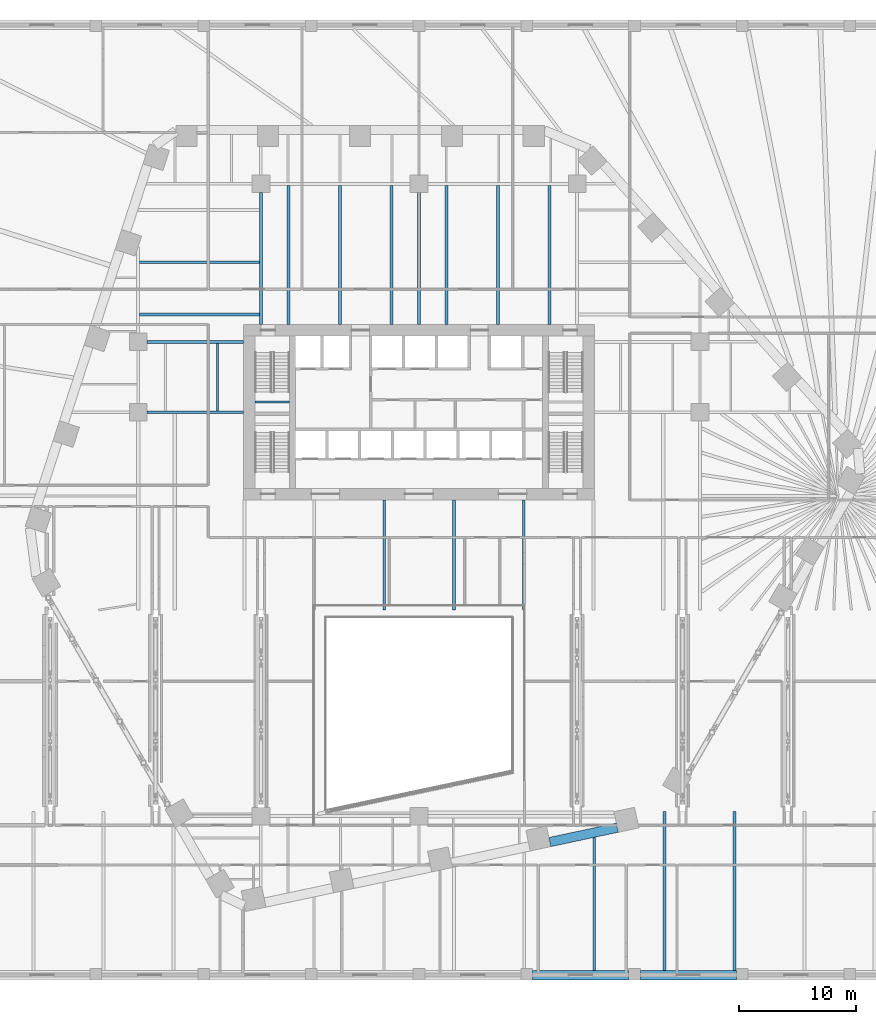
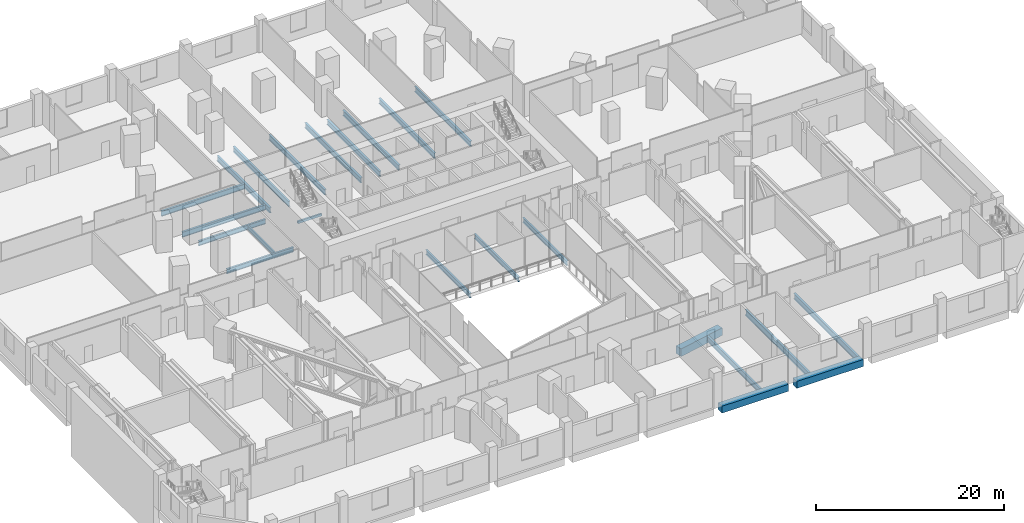
# One storey, part 6 of 32: 23 beams.
"""IFC4 building model written with IfcOpenShell, lengths in metres."""

from ifc_helpers import new_model, si_unit, direction, frame, origin, origin_2d, place, context, subcontext, project, spatial, rectangle, i_section, extrude, material, material_profile, profile_set, type_object, element, save


model = new_model("IFC4")

# Units and contexts
model_context = context("Model", 3, precision=1e-05, world=origin(), true_north=direction((0.0, 1.0)))
body_context = subcontext(model_context, "Body", "Model", "MODEL_VIEW")
ifc_project = project(units=[si_unit("LENGTHUNIT", "METRE"), si_unit("AREAUNIT", "SQUARE_METRE"), si_unit("VOLUMEUNIT", "CUBIC_METRE"), si_unit("PLANEANGLEUNIT", "RADIAN"), si_unit("MASSUNIT", "GRAM", prefix="KILO")], contexts=[model_context])

# Site, building, storey
site_placement = place(None, origin())
site = spatial("IfcSite", under=ifc_project, at=site_placement, CompositionType="ELEMENT")
building_placement = place(site_placement, origin())
building = spatial("IfcBuilding", under=site, at=building_placement, Name="Isthmus Gate Tower", CompositionType="ELEMENT")
storey_placement = place(building_placement, frame((0.0, 0.0, 18.0)))
storey = spatial("IfcBuildingStorey", under=building, at=storey_placement, Name="L02", CompositionType="ELEMENT", Elevation=18.0)

# Beams
ifc_material_1 = material(Name="Concrete f'c 70 MPa", Category="concrete")
ifc_material_profile_1 = material_profile(ifc_material_1, rectangle(XDim=0.800048828125, YDim=0.89990234375, at=origin_2d()), Name="RC 800X900")
ifc_profile_set_1 = profile_set([ifc_material_profile_1], Name="Concrete f'c 70 MPa")
beam_type_1 = type_object("IfcBeamType", Name="RC EDGE BEAM 800 X 900", PredefinedType="BEAM", material=ifc_profile_set_1)
beam_1_placement = place(storey_placement, frame((27.10009765625, -40.60009765625, -0.85009765625), z_axis=(-1.0, 0.0, 0.0), x_axis=(0.0, -1.0, 0.0)))
element("IfcBeam", 1, at=beam_1_placement, inside=storey, type_object=beam_type_1, Name="str-edgebeam-L02-30", PredefinedType="BEAM", context=body_context, shape_type="SweptSolid", body=[
    extrude(rectangle(XDim=0.800048828125, YDim=0.89990234375, at=origin_2d()), origin(), (0.0, 0.0, 1.0), 8.2001953125),
])
beam_2_placement = place(storey_placement, frame((17.89990234375, -40.60009765625, -0.85009765625), z_axis=(-1.0, 0.0, 0.0), x_axis=(0.0, -1.0, 0.0)))
element("IfcBeam", 2, at=beam_2_placement, inside=storey, type_object=beam_type_1, Name="str-edgebeam-L02-31", PredefinedType="BEAM", context=body_context, shape_type="SweptSolid", body=[
    extrude(rectangle(XDim=0.800048828125, YDim=0.89990234375, at=origin_2d()), origin(), (0.0, 0.0, 1.0), 8.199951171875),
])
ifc_material_2 = material(Name="Concrete f'c 70 MPa", Category="concrete")
ifc_material_profile_2 = material_profile(ifc_material_2, rectangle(XDim=0.800048828125, YDim=1.0, at=origin_2d()), Name="RC 800X1000")
ifc_profile_set_2 = profile_set([ifc_material_profile_2], Name="Concrete f'c 70 MPa")
beam_type_2 = type_object("IfcBeamType", Name="RC TUBE RING BEAM 800 X 1000", PredefinedType="BEAM", material=ifc_profile_set_2)
beam_3_placement = place(storey_placement, frame((16.937255859375, -27.990966796875, -0.89990234375), z_axis=(-0.97815168619, -0.207892469327, 0.0), x_axis=(0.207892469327, -0.97815168619, 0.0)))
element("IfcBeam", 3, at=beam_3_placement, inside=storey, type_object=beam_type_2, Name="str-ringbeam-L02-08", PredefinedType="BEAM", context=body_context, shape_type="SweptSolid", body=[
    extrude(rectangle(XDim=0.800048828125, YDim=1.0, at=origin_2d()), origin(), (0.0, 0.0, 1.0), 5.889404296875),
])
ifc_material_3 = material(Name="Concrete f'c 40 MPa", Category="concrete")
ifc_material_profile_3 = material_profile(ifc_material_3, rectangle(XDim=0.199951171875, YDim=0.300048828125, at=origin_2d()), Name="STAIR LANDING BEAM RC 200 X 300")
ifc_profile_set_3 = profile_set([ifc_material_profile_3], Name="Concrete f'c 40 MPa")
beam_type_3 = type_object("IfcBeamType", Name="STAIR LANDING BEAM RC 200 X 300", PredefinedType="BEAM", material=ifc_profile_set_3)
beam_4_placement = place(storey_placement, frame((-14.0, 8.3701171875, 1.89990234375), z_axis=(1.0, 0.0, 0.0), x_axis=(0.0, 1.0, 0.0)))
element("IfcBeam", 4, at=beam_4_placement, inside=storey, type_object=beam_type_3, Name="L02 ST1 landing beam 1", PredefinedType="BEAM", context=body_context, shape_type="SweptSolid", body=[
    extrude(rectangle(XDim=0.199951171875, YDim=0.300048828125, at=origin_2d()), origin(), (0.0, 0.0, 1.0), 2.949951171875),
])
ifc_material_4 = material(Name="Structural steel ASTM A992 Gr 50", Category="steel")
ifc_material_profile_4 = material_profile(ifc_material_4, i_section(OverallWidth=0.1650390625, OverallDepth=0.52392578125, WebThickness=0.009521484375, FlangeThickness=0.010986328125, at=origin_2d()), Name="W21X44")
ifc_profile_set_4 = profile_set([ifc_material_profile_4], Name="Structural steel ASTM A992 Gr 50")
beam_type_4 = type_object("IfcBeamType", Name="STEEL FLOOR BEAM W21X44", PredefinedType="JOIST", material=ifc_profile_set_4)
beam_5_placement = place(storey_placement, frame((-17.223876953125, 7.6142578125, -0.661865234375), z_axis=(0.0, 1.0, 0.0), x_axis=(-1.0, 0.0, 0.0)))
element("IfcBeam", 5, at=beam_5_placement, inside=storey, type_object=beam_type_4, Name="str-beam-L02-07-01", PredefinedType="JOIST", context=body_context, shape_type="SweptSolid", body=[
    extrude(i_section(OverallWidth=0.1650390625, OverallDepth=0.52392578125, WebThickness=0.009521484375, FlangeThickness=0.010986328125, at=origin_2d()), origin(), (0.0, 0.0, 1.0), 5.771484375),
])
ifc_material_5 = material(Name="Structural steel ASTM A992 Gr 50", Category="steel")
ifc_material_profile_5 = material_profile(ifc_material_5, i_section(OverallWidth=0.228515625, OverallDepth=0.603271484375, WebThickness=0.010986328125, FlangeThickness=0.014404296875, at=origin_2d()), Name="W24X68")
ifc_profile_set_5 = profile_set([ifc_material_profile_5], Name="Structural steel ASTM A992 Gr 50")
beam_type_5 = type_object("IfcBeamType", Name="STEEL FLOOR BEAM W24X68", PredefinedType="JOIST", material=ifc_profile_set_5)
for number, where, z_axis, x_axis, name in (
    (6, (-2.981689453125, -9.39990234375, -0.70166015625), (0.0, 1.0, 0.0), (-1.0, 0.0, 0.0), "str-beam-L02-17-03"),
    (7, (2.981689453125, -9.39990234375, -0.70166015625), (0.0, 1.0, 0.0), (-1.0, 0.0, 0.0), "str-beam-L02-17-04"),
    (8, (8.9453125, -9.39990234375, -0.70166015625), (0.0, 1.0, 0.0), (-1.0, 0.0, 0.0), "str-beam-L02-17-05"),
):
    element("IfcBeam", number, at=place(storey_placement, frame(where, z_axis=z_axis, x_axis=x_axis)), inside=storey, type_object=beam_type_5, Name=name, PredefinedType="JOIST", context=body_context, shape_type="SweptSolid", body=[
        extrude(i_section(OverallWidth=0.228515625, OverallDepth=0.603271484375, WebThickness=0.010986328125, FlangeThickness=0.014404296875, at=origin_2d()), origin(), (0.0, 0.0, 1.0), 9.39990234375),
    ])
ifc_material_6 = material(Name="Structural steel ASTM A992 Gr 50", Category="steel")
ifc_material_profile_6 = material_profile(ifc_material_6, i_section(OverallWidth=0.25390625, OverallDepth=0.679443359375, WebThickness=0.010986328125, FlangeThickness=0.015869140625, at=origin_2d()), Name="W27X84")
ifc_profile_set_6 = profile_set([ifc_material_profile_6], Name="Structural steel ASTM A992 Gr 50")
beam_type_6 = type_object("IfcBeamType", Name="STEEL FLOOR BEAM W27X84", PredefinedType="JOIST", material=ifc_profile_set_6)
for number, where, z_axis, x_axis, name in (
    (9, (-23.8857421875, 15.84521484375, -0.73974609375), (1.0, 0.0, 0.0), (0.0, 1.0, 0.0), "str-beam-L02-08-00"),
    (10, (-23.8857421875, 20.30712890625, -0.73974609375), (1.0, 0.0, 0.0), (0.0, 1.0, 0.0), "str-beam-L02-08-01"),
):
    element("IfcBeam", number, at=place(storey_placement, frame(where, z_axis=z_axis, x_axis=x_axis)), inside=storey, type_object=beam_type_6, Name=name, PredefinedType="JOIST", context=body_context, shape_type="SweptSolid", body=[
        extrude(i_section(OverallWidth=0.25390625, OverallDepth=0.679443359375, WebThickness=0.010986328125, FlangeThickness=0.015869140625, at=origin_2d()), origin(), (0.0, 0.0, 1.0), 10.2587890625),
    ])
for number, where, z_axis, x_axis, name in (
    (11, (-11.165283203125, 15.0, -0.73974609375), (0.0, 1.0, 0.0), (-1.0, 0.0, 0.0), "str-beam-L02-14-00"),
    (12, (-6.75, 15.0, -0.73974609375), (0.0, 1.0, 0.0), (-1.0, 0.0, 0.0), "str-beam-L02-14-01"),
    (13, (-2.334716796875, 15.0, -0.73974609375), (0.0, 1.0, 0.0), (-1.0, 0.0, 0.0), "str-beam-L02-14-02"),
):
    element("IfcBeam", number, at=place(storey_placement, frame(where, z_axis=z_axis, x_axis=x_axis)), inside=storey, type_object=beam_type_6, Name=name, PredefinedType="JOIST", context=body_context, shape_type="SweptSolid", body=[
        extrude(i_section(OverallWidth=0.25390625, OverallDepth=0.679443359375, WebThickness=0.010986328125, FlangeThickness=0.015869140625, at=origin_2d()), origin(), (0.0, 0.0, 1.0), 11.873046875),
    ])
beam_6_placement = place(storey_placement, frame((14.96728515625, -40.199951171875, -0.73974609375), z_axis=(0.0, 1.0, 0.0), x_axis=(-1.0, 0.0, 0.0)))
element("IfcBeam", 14, at=beam_6_placement, inside=storey, type_object=beam_type_6, Name="str-beam-L02-19-10", PredefinedType="JOIST", context=body_context, shape_type="SweptSolid", body=[
    extrude(i_section(OverallWidth=0.25390625, OverallDepth=0.679443359375, WebThickness=0.010986328125, FlangeThickness=0.015869140625, at=origin_2d()), origin(), (0.0, 0.0, 1.0), 11.38134765625),
])
for number, where, z_axis, x_axis, name in (
    (15, (2.334716796875, 15.0, -0.73974609375), (0.0, 1.0, 0.0), (-1.0, 0.0, 0.0), "str-beam-L02-22-00"),
    (16, (6.75, 15.0, -0.73974609375), (0.0, 1.0, 0.0), (-1.0, 0.0, 0.0), "str-beam-L02-22-01"),
    (17, (11.165283203125, 15.0, -0.73974609375), (0.0, 1.0, 0.0), (-1.0, 0.0, 0.0), "str-beam-L02-22-02"),
):
    element("IfcBeam", number, at=place(storey_placement, frame(where, z_axis=z_axis, x_axis=x_axis)), inside=storey, type_object=beam_type_6, Name=name, PredefinedType="JOIST", context=body_context, shape_type="SweptSolid", body=[
        extrude(i_section(OverallWidth=0.25390625, OverallDepth=0.679443359375, WebThickness=0.010986328125, FlangeThickness=0.015869140625, at=origin_2d()), origin(), (0.0, 0.0, 1.0), 11.873046875),
    ])
ifc_material_7 = material(Name="Structural steel ASTM A992 Gr 50", Category="steel")
ifc_material_profile_7 = material_profile(ifc_material_7, i_section(OverallWidth=0.263427734375, OverallDepth=0.749267578125, WebThickness=0.0126953125, FlangeThickness=0.015869140625, at=origin_2d()), Name="W30X90")
ifc_profile_set_7 = profile_set([ifc_material_profile_7], Name="Structural steel ASTM A992 Gr 50")
beam_type_7 = type_object("IfcBeamType", Name="STEEL FLOOR BEAM W30X90", PredefinedType="JOIST", material=ifc_profile_set_7)
for number, where, z_axis, x_axis, name in (
    (18, (20.9541015625, -40.199951171875, -0.774658203125), (0.0, 1.0, 0.0), (-1.0, 0.0, 0.0), "str-beam-L02-19-11"),
    (19, (26.941162109375, -40.199951171875, -0.774658203125), (0.0, 1.0, 0.0), (-1.0, 0.0, 0.0), "str-beam-L02-19-12"),
):
    element("IfcBeam", number, at=place(storey_placement, frame(where, z_axis=z_axis, x_axis=x_axis)), inside=storey, type_object=beam_type_7, Name=name, PredefinedType="JOIST", context=body_context, shape_type="SweptSolid", body=[
        extrude(i_section(OverallWidth=0.263427734375, OverallDepth=0.749267578125, WebThickness=0.0126953125, FlangeThickness=0.015869140625, at=origin_2d()), origin(), (0.0, 0.0, 1.0), 13.599853515625),
    ])
ifc_material_8 = material(Name="Structural steel ASTM A992 Gr 50", Category="steel")
ifc_material_profile_8 = material_profile(ifc_material_8, i_section(OverallWidth=0.228515625, OverallDepth=0.6064453125, WebThickness=0.010986328125, FlangeThickness=0.017578125, at=origin_2d()), Name="W24X76")
ifc_profile_set_8 = profile_set([ifc_material_profile_8], Name="Structural steel ASTM A992 Gr 50")
beam_type_8 = type_object("IfcBeamType", Name="STEEL GIRDER W24X76", PredefinedType="BEAM", material=ifc_profile_set_8)
for number, where, z_axis, x_axis, name in (
    (20, (-23.25, 7.5, -0.703125), (1.0, 0.0, 0.0), (0.0, 1.0, 0.0), "str-girder-L02-05"),
    (21, (-23.25, 13.5, -0.703125), (1.0, 0.0, 0.0), (0.0, 1.0, 0.0), "str-girder-L02-08"),
):
    element("IfcBeam", number, at=place(storey_placement, frame(where, z_axis=z_axis, x_axis=x_axis)), inside=storey, type_object=beam_type_8, Name=name, PredefinedType="BEAM", context=body_context, shape_type="SweptSolid", body=[
        extrude(i_section(OverallWidth=0.228515625, OverallDepth=0.6064453125, WebThickness=0.010986328125, FlangeThickness=0.017578125, at=origin_2d()), origin(), (0.0, 0.0, 1.0), 8.25),
    ])
ifc_material_9 = material(Name="Structural steel ASTM A992 Gr 50", Category="steel")
ifc_material_profile_9 = material_profile(ifc_material_9, i_section(OverallWidth=0.25390625, OverallDepth=0.679443359375, WebThickness=0.010986328125, FlangeThickness=0.015869140625, at=origin_2d()), Name="W27X84")
ifc_profile_set_9 = profile_set([ifc_material_profile_9], Name="Structural steel ASTM A992 Gr 50")
beam_type_9 = type_object("IfcBeamType", Name="STEEL GIRDER W27X84", PredefinedType="BEAM", material=ifc_profile_set_9)
for number, where, z_axis, x_axis, name in (
    (22, (-13.5, 15.0, -0.73974609375), (0.0, 1.0, 0.0), (-1.0, 0.0, 0.0), "str-girder-L02-19"),
    (23, (0.0, 15.0, -0.73974609375), (0.0, 1.0, 0.0), (-1.0, 0.0, 0.0), "str-girder-L02-22"),
):
    element("IfcBeam", number, at=place(storey_placement, frame(where, z_axis=z_axis, x_axis=x_axis)), inside=storey, type_object=beam_type_9, Name=name, PredefinedType="BEAM", context=body_context, shape_type="SweptSolid", body=[
        extrude(i_section(OverallWidth=0.25390625, OverallDepth=0.679443359375, WebThickness=0.010986328125, FlangeThickness=0.015869140625, at=origin_2d()), origin(), (0.0, 0.0, 1.0), 11.25),
    ])

save(model, "model.ifc")
